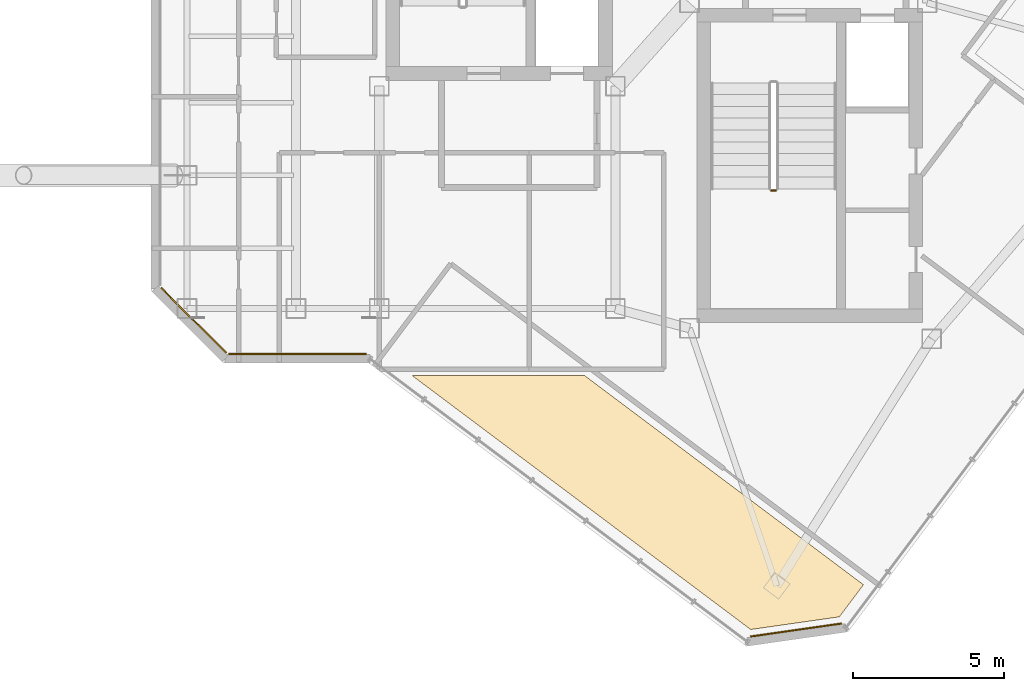
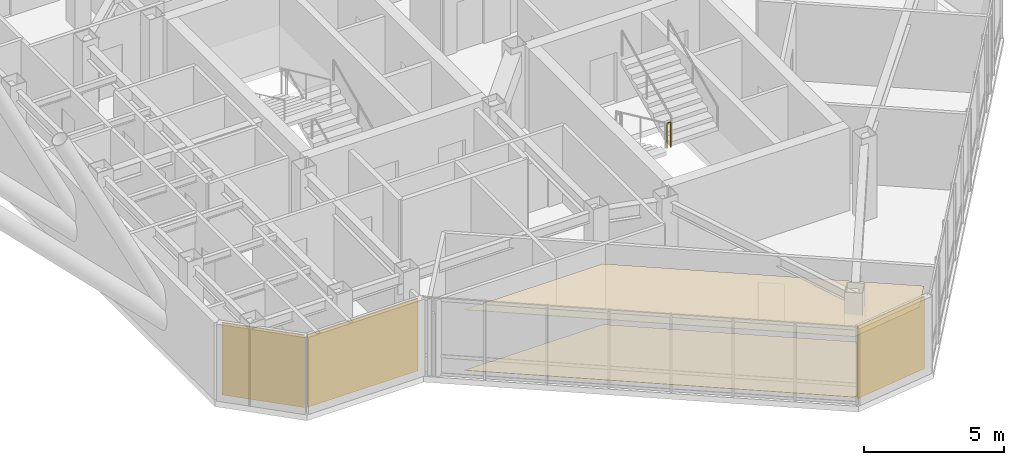
# One storey, part 19 of 21: 5 coverings, 1 railing.
"""IFC4 building model written with IfcOpenShell, lengths in metres."""

from ifc_helpers import new_model, si_unit, direction, frame, origin, origin_2d, place, context, subcontext, project, spatial, polyline, rectangle, circle, outline, extrude, material, layer, layer_set, type_object, element, save


model = new_model("IFC4")

# Units and contexts
model_context = context("Model", 3, precision=1e-05, world=origin(), true_north=direction((0.0, 1.0)))
body_context = subcontext(model_context, "Body", "Model", "MODEL_VIEW")
ifc_project = project(units=[si_unit("LENGTHUNIT", "METRE"), si_unit("AREAUNIT", "SQUARE_METRE"), si_unit("VOLUMEUNIT", "CUBIC_METRE"), si_unit("PLANEANGLEUNIT", "RADIAN"), si_unit("MASSUNIT", "GRAM", prefix="KILO")], contexts=[model_context])

# Site, building, storey
site_placement = place(None, origin())
site = spatial("IfcSite", under=ifc_project, at=site_placement, CompositionType="ELEMENT")
building_placement = place(site_placement, origin())
building = spatial("IfcBuilding", under=site, at=building_placement, Name="Hatsunagi Terrace Concourse", CompositionType="ELEMENT")
storey_placement = place(building_placement, frame((0.0, 0.0, 246.75)))
storey = spatial("IfcBuildingStorey", under=building, at=storey_placement, Name="L65", CompositionType="ELEMENT", Elevation=246.75)

# Coverings
ifc_material_1 = material(Name="Acoustic mineral board", Category="gypsum")
ifc_layer_1 = layer(ifc_material_1, 0.02001953125)
ifc_layer_set_1 = layer_set([ifc_layer_1], Name="AcousticMineralCeiling_20")
covering_type_1 = type_object("IfcCoveringType", Name="AcousticMineralCeiling_20", PredefinedType="CEILING", material=ifc_layer_set_1)
covering_1_placement = place(storey_placement, frame((0.0, 0.0, 2.6298828125)))
element("IfcCovering", 1, at=covering_1_placement, inside=storey, type_object=covering_type_1, Name="Suspended Ceiling L65-1", PredefinedType="CEILING", context=body_context, shape_type="SweptSolid", body=[
    extrude(outline(polyline([(26.626953125, 22.991943359375), (37.822021484375, 14.595947265625), (40.748046875, 15.013916015625), (41.5458984375, 16.077880859375), (32.327880859375, 22.991943359375), (26.626953125, 22.991943359375)])), origin(), (0.0, 0.0, 1.0), 0.02001953125),
])
ifc_material_2 = material(Name="Hardwood timber", Category="wood")
ifc_layer_2 = layer(ifc_material_2, 0.014892578125)
ifc_layer_set_2 = layer_set([ifc_layer_2], Name="HardwoodTimberFlooring_15")
covering_type_2 = type_object("IfcCoveringType", Name="HardwoodTimberFlooring_15", PredefinedType="FLOORING", material=ifc_layer_set_2)
covering_2_placement = place(storey_placement, origin())
element("IfcCovering", 2, at=covering_2_placement, inside=storey, type_object=covering_type_2, Name="Finished Flooring L65-1", PredefinedType="FLOORING", context=body_context, shape_type="SweptSolid", body=[
    extrude(outline(polyline([(26.626953125, 22.991943359375), (37.822021484375, 14.595947265625), (40.748046875, 15.013916015625), (41.5458984375, 16.077880859375), (32.327880859375, 22.991943359375), (26.626953125, 22.991943359375)])), origin(), (0.0, 0.0, 1.0), 0.014892578125),
])

# Railing
ifc_material_3 = material(Name="Stainless steel", Category="steel")
ifc_layer_3 = layer(ifc_material_3, 0.06005859375)
ifc_layer_set_3 = layer_set([ifc_layer_3], Name="StairWellGuard_Tower2000")
railing_type = type_object("IfcRailingType", Name="StairWellGuard_Tower2000", PredefinedType="BALUSTRADE", material=ifc_layer_set_3)
railing_placement = place(storey_placement, frame((38.5, 29.10009765625, 1.800048828125)))
element("IfcRailing", 3, at=railing_placement, inside=storey, type_object=railing_type, Name="L65 ST-B stair guard 2", PredefinedType="BALUSTRADE", context=body_context, shape_type="SweptSolid", body=[
    extrude(circle(Radius=0.02392578125, at=origin_2d()), frame((0.0, 0.0, 1.09619140625), z_axis=(1.0, 0.0, 0.0), x_axis=(0.0, 1.0, 0.0)), (0.0, 0.0, 1.0), 0.14990234375),
    extrude(circle(Radius=0.02099609375, at=origin_2d()), origin(), (0.0, 0.0, 1.0), 1.072021484375),
    extrude(circle(Radius=0.02099609375, at=origin_2d()), frame((0.14990234375, 0.0, 0.0)), (0.0, 0.0, 1.0), 1.072021484375),
])

# Coverings
ifc_material_4 = material(Name="Unglazed Warm Terracotta Rainscreen Tile", Category="masonry")
ifc_layer_4 = layer(ifc_material_4, 0.044921875)
ifc_layer_set_4 = layer_set([ifc_layer_4], Name="TerracottaRainscreenCladding_45")
covering_type_3 = type_object("IfcCoveringType", Name="TerracottaRainscreenCladding_45", PredefinedType="CLADDING", material=ifc_layer_set_4)
covering_3_placement = place(storey_placement, frame((39.318115234375, 14.5791015625, 0.10009765625), z_axis=(0.0, 0.0, 1.0), x_axis=(-0.989973920543, -0.141250262458, 0.0)))
element("IfcCovering", 4, at=covering_3_placement, inside=storey, type_object=covering_type_3, Name="Terracotta Rainscreen Cladding L65-04", PredefinedType="CLADDING", context=body_context, shape_type="SweptSolid", body=[
    extrude(rectangle(XDim=3.0380859375, YDim=0.044921875, at=origin_2d()), origin(), (0.0, 0.0, 1.0), 3.14990234375),
])
covering_4_placement = place(storey_placement, frame((22.85205078125, 23.701904296875, 0.10009765625), z_axis=(0.0, 0.0, 1.0), x_axis=(-1.0, 0.0, 0.0)))
element("IfcCovering", 5, at=covering_4_placement, inside=storey, type_object=covering_type_3, Name="Terracotta Rainscreen Cladding L65-06", PredefinedType="CLADDING", context=body_context, shape_type="SweptSolid", body=[
    extrude(rectangle(XDim=4.549072265625, YDim=0.044921875, at=origin_2d()), origin(), (0.0, 0.0, 1.0), 3.14990234375),
])
covering_5_placement = place(storey_placement, frame((19.4140625, 24.81396484375, 0.10009765625), z_axis=(0.0, 0.0, 1.0), x_axis=(-0.707106781187, 0.707106781187, 0.0)))
element("IfcCovering", 6, at=covering_5_placement, inside=storey, type_object=covering_type_3, Name="Terracotta Rainscreen Cladding L65-07", PredefinedType="CLADDING", context=body_context, shape_type="SweptSolid", body=[
    extrude(rectangle(XDim=3.0380859375, YDim=0.044921875, at=origin_2d()), origin(), (0.0, 0.0, 1.0), 3.14990234375),
])

save(model, "model.ifc")
